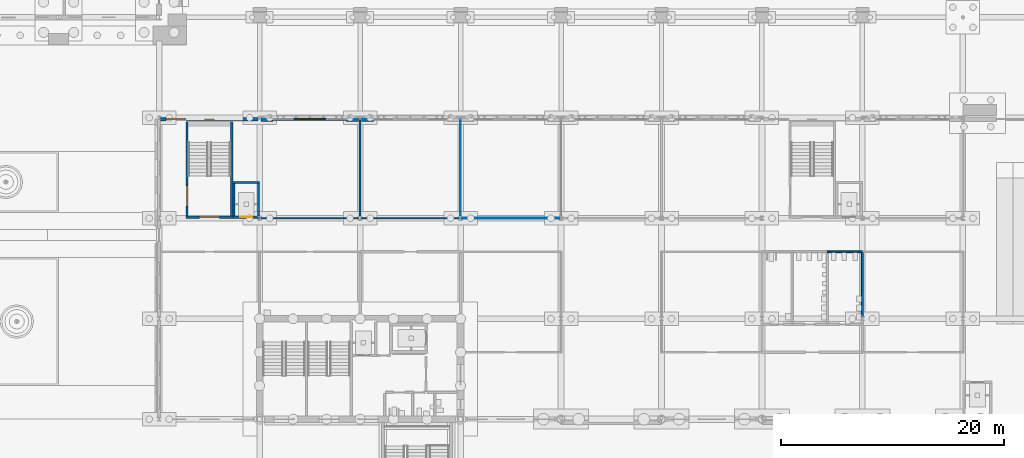
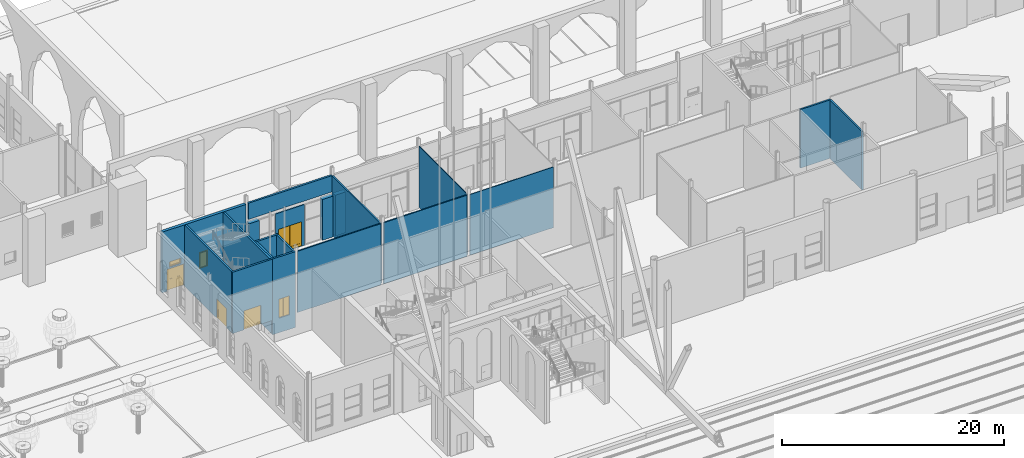
# One storey, part 111 of 250: 20 walls, 5 doors, 2 windows, 7 openings.
"""IFC4 building model written with IfcOpenShell, lengths in metres."""

from ifc_helpers import new_model, si_unit, direction, frame, frame_2d, origin, place, context, subcontext, project, spatial, polyline, rectangle, outline, extrude, material, layer, layer_set, type_object, element, fill, save


model = new_model("IFC4")

# Units and contexts
model_context = context("Model", 3, precision=1e-05, world=origin(), true_north=direction((0.0, 1.0)))
body_context = subcontext(model_context, "Body", "Model", "MODEL_VIEW")
ifc_project = project(units=[si_unit("LENGTHUNIT", "METRE"), si_unit("AREAUNIT", "SQUARE_METRE"), si_unit("VOLUMEUNIT", "CUBIC_METRE"), si_unit("PLANEANGLEUNIT", "RADIAN"), si_unit("MASSUNIT", "GRAM", prefix="KILO")], contexts=[model_context])

# Site, building, storey
site_placement = place(None, origin())
site = spatial("IfcSite", under=ifc_project, at=site_placement, CompositionType="ELEMENT")
building_placement = place(site_placement, origin())
building = spatial("IfcBuilding", under=site, at=building_placement, Name="Baradari Gate Terminus", CompositionType="ELEMENT")
storey_placement = place(building_placement, origin())
storey = spatial("IfcBuildingStorey", under=building, at=storey_placement, Name="L00", CompositionType="ELEMENT", Elevation=0.0)

# Walls
ifc_material_1 = material(Name="Sandstone masonry", Category="masonry")
ifc_layer_1 = layer(ifc_material_1, 0.199951171875)
ifc_layer_set_1 = layer_set([ifc_layer_1], Name="Sandstone masonry")
wall_type_1 = type_object("IfcWallType", Name="Arcade infill wall WA-1 200", PredefinedType="SOLIDWALL", material=ifc_layer_set_1)
wall_1_placement = place(storey_placement, frame((72.128173828125, 107.87841796875, 4.89990234375), z_axis=(0.0, 0.0, 1.0), x_axis=(1.0, 0.0, 0.0)))
element("IfcWall", 1, at=wall_1_placement, inside=storey, type_object=wall_type_1, Name="Arcade tympanum wall bay 8 L00", PredefinedType="SOLIDWALL", context=body_context, shape_type="SweptSolid", body=[
    extrude(rectangle(XDim=8.74365234375, YDim=0.199951171875, at=frame_2d((4.371826171875, 0.0))), origin(), (0.0, 0.0, 1.0), 1.792236328125),
])
ifc_material_2 = material(Name="Gypsum board")
ifc_layer_2 = layer(ifc_material_2, 0.125)
ifc_layer_set_2 = layer_set([ifc_layer_2], Name="Gypsum board")
wall_type_2 = type_object("IfcWallType", Name="Corridor partition PT-5 125 EI 30", PredefinedType="PARTITIONING", material=ifc_layer_set_2)
for number, where, z_axis, x_axis, name in (
    (2, (72.15380859375, 99.0, 0.0), (0.0, 0.0, 1.0), (1.0, 0.0, 0.0), "PT-5 partition Corridor (Service Corridor West) / Shop 01"),
    (3, (81.15380859375, 99.0, 0.0), (0.0, 0.0, 1.0), (1.0, 0.0, 0.0), "PT-5 partition Corridor (Service Corridor West) / Shop 02"),
):
    element("IfcWall", number, at=place(storey_placement, frame(where, z_axis=z_axis, x_axis=x_axis)), inside=storey, type_object=wall_type_2, Name=name, PredefinedType="PARTITIONING", context=body_context, shape_type="SweptSolid", body=[
        extrude(rectangle(XDim=8.6923828125, YDim=0.125, at=frame_2d((4.34619140625, 0.0))), origin(), (0.0, 0.0, 1.0), 6.757080078125),
    ])

# Wall, opening, door
ifc_material_3 = material(Name="Laminated glass in aluminium frame", Category="aluminium")
ifc_layer_3 = layer(ifc_material_3, 0.14990234375)
ifc_layer_set_3 = layer_set([ifc_layer_3], Name="Laminated glass in aluminium frame")
wall_type_3 = type_object("IfcWallType", Name="Glazed entrance screen WG-1 150", PredefinedType="ELEMENTEDWALL", material=ifc_layer_set_3)
wall_2_placement = place(storey_placement, frame((75.0, 107.87841796875, 0.0), z_axis=(0.0, 0.0, 1.0), x_axis=(1.0, 0.0, 0.0)))
wall_2 = element("IfcWall", 4, at=wall_2_placement, inside=storey, type_object=wall_type_3, Name="Glazed entrance screen HN bay 8 L00", PredefinedType="ELEMENTEDWALL", context=body_context, shape_type="SweptSolid", body=[
    extrude(rectangle(XDim=3.0, YDim=0.14990234375, at=frame_2d((1.5, 0.0))), origin(), (0.0, 0.0, 1.0), 4.5),
])
opening_1_placement = place(wall_2_placement, frame((0.300048828125, 0.0, 0.0)))
opening_1 = element("IfcOpeningElement", 5, at=opening_1_placement, cuts=wall_2, Name="Opening D00-014", PredefinedType="OPENING", context=body_context, shape_type="SweptSolid", body=[
    extrude(rectangle(XDim=2.39990234375, YDim=2.699951171875, at=frame_2d((1.199951171875, 1.35009765625))), frame((0.0, 0.0849609375, 0.0), z_axis=(0.0, -1.0, 0.0), x_axis=(1.0, 0.0, 0.0)), (0.0, 0.0, 1.0), 0.169921875),
])
ifc_material_4 = material(Name="Aluminium 6063-T6", Category="aluminium")
door_type_1 = type_object("IfcDoorType", Name="Shop entrance door pair, glazed DT-2 2400x2700", OperationType="DOUBLE_DOOR_DOUBLE_SWING", PredefinedType="DOOR", material=ifc_material_4)
door_1_placement = place(opening_1_placement, origin())
door_1 = element("IfcDoor", 6, at=door_1_placement, inside=storey, type_object=door_type_1, Name="Entrance door Shop 01", OperationType="DOUBLE_DOOR_SINGLE_SWING", OverallHeight=2.7, OverallWidth=2.4, PredefinedType="DOOR", context=body_context, shape_type="SweptSolid", body=[
    extrude(outline(polyline([(0.0, 0.0), (0.070068359375, 0.0), (0.070068359375, 2.6298828125), (2.329833984375, 2.6298828125), (2.329833984375, 0.0), (2.39990234375, 0.0), (2.39990234375, 2.699951171875), (0.0, 2.699951171875), (0.0, 0.0)])), frame((0.0, 0.02490234375, 0.0), z_axis=(0.0, -1.0, 0.0), x_axis=(1.0, 0.0, 0.0)), (0.0, 0.0, 1.0), 0.050048828125),
    extrude(outline(polyline([(0.073974609375, 0.010009765625), (1.19677734375, 0.010009765625), (1.19677734375, 2.6259765625), (0.073974609375, 2.6259765625), (0.073974609375, 0.010009765625)]), holes=[polyline([(0.1640625, 0.31005859375), (1.10693359375, 0.31005859375), (1.10693359375, 2.535888671875), (0.1640625, 2.535888671875), (0.1640625, 0.31005859375)])]), frame((0.0, 0.017333984375, 0.0), z_axis=(0.0, -1.0, 0.0), x_axis=(1.0, 0.0, 0.0)), (0.0, 0.0, 1.0), 0.034912109375),
    extrude(rectangle(XDim=0.94287109375, YDim=2.225830078125, at=frame_2d((0.635498046875, 1.4228515625))), frame((0.0, 0.005859375, 0.0), z_axis=(0.0, -1.0, 0.0), x_axis=(1.0, 0.0, 0.0)), (0.0, 0.0, 1.0), 0.011962890625),
    extrude(outline(polyline([(1.203125, 0.010009765625), (2.325927734375, 0.010009765625), (2.325927734375, 2.6259765625), (1.203125, 2.6259765625), (1.203125, 0.010009765625)]), holes=[polyline([(1.29296875, 0.31005859375), (2.23583984375, 0.31005859375), (2.23583984375, 2.535888671875), (1.29296875, 2.535888671875), (1.29296875, 0.31005859375)])]), frame((0.0, 0.017333984375, 0.0), z_axis=(0.0, -1.0, 0.0), x_axis=(1.0, 0.0, 0.0)), (0.0, 0.0, 1.0), 0.034912109375),
    extrude(rectangle(XDim=0.94287109375, YDim=2.225830078125, at=frame_2d((1.764404296875, 1.4228515625))), frame((0.0, 0.005859375, 0.0), z_axis=(0.0, -1.0, 0.0), x_axis=(1.0, 0.0, 0.0)), (0.0, 0.0, 1.0), 0.011962890625),
])
fill(opening_1, door_1)

# Walls
ifc_material_5 = material(Name="Aluminium framed glazed partition", Category="aluminium")
ifc_layer_4 = layer(ifc_material_5, 0.074951171875)
ifc_layer_set_4 = layer_set([ifc_layer_4], Name="Aluminium framed glazed partition")
wall_type_4 = type_object("IfcWallType", Name="Kiosk partition PT-9 75 EI 60", PredefinedType="PARTITIONING", material=ifc_layer_set_4)
wall_3_placement = place(storey_placement, frame((90.15380859375, 99.0, 0.0), z_axis=(0.0, 0.0, 1.0), x_axis=(1.0, 0.0, 0.0)))
element("IfcWall", 7, at=wall_3_placement, inside=storey, type_object=wall_type_4, Name="PT-9 partition Corridor (Service Corridor West) / Newsstand", PredefinedType="PARTITIONING", context=body_context, shape_type="SweptSolid", body=[
    extrude(rectangle(XDim=8.6923828125, YDim=0.074951171875, at=frame_2d((4.34619140625, 0.0))), origin(), (0.0, 0.0, 1.0), 6.69189453125),
])
wall_4_placement = place(storey_placement, frame((90.0, 107.869873046875, 0.0), z_axis=(0.0, 0.0, 1.0), x_axis=(0.0, -1.0, 0.0)))
element("IfcWall", 8, at=wall_4_placement, inside=storey, type_object=wall_type_4, Name="PT-9 partition Shop 02 / Newsstand", PredefinedType="PARTITIONING", context=body_context, shape_type="SweptSolid", body=[
    extrude(rectangle(XDim=8.712646484375, YDim=0.074951171875, at=frame_2d((4.3564453125, 0.0))), origin(), (0.0, 0.0, 1.0), 6.69189453125),
])
ifc_material_6 = material(Name="Laterite masonry", Category="masonry")
ifc_layer_5 = layer(ifc_material_6, 0.449951171875)
ifc_layer_set_5 = layer_set([ifc_layer_5], Name="Laterite masonry")
wall_type_5 = type_object("IfcWallType", Name="Laterite masonry pier WC-1 450", PredefinedType="SOLIDWALL", material=ifc_layer_set_5)
for number, where, z_axis, x_axis, name in (
    (9, (72.128173828125, 107.87841796875, 0.0), (0.0, 0.0, 1.0), (1.0, 0.0, 0.0), "Stone-clad pier HN bay 8 L00"),
    (10, (79.800048828125, 107.87841796875, 0.0), (0.0, 0.0, 1.0), (1.0, 0.0, 0.0), "Stone-clad pier HN bay 8 L00"),
    (11, (81.128173828125, 107.87841796875, 0.0), (0.0, 0.0, 1.0), (1.0, 0.0, 0.0), "Stone-clad pier HN bay 9 L00"),
):
    element("IfcWall", number, at=place(storey_placement, frame(where, z_axis=z_axis, x_axis=x_axis)), inside=storey, type_object=wall_type_5, Name=name, PredefinedType="SOLIDWALL", context=body_context, shape_type="SweptSolid", body=[
        extrude(rectangle(XDim=1.07177734375, YDim=0.449951171875, at=frame_2d((0.535888671875, 0.0))), origin(), (0.0, 0.0, 1.0), 4.5),
    ])

# Wall, opening, door
ifc_material_7 = material(Name="Blockwork wall, fire rated", Category="masonry")
ifc_layer_6 = layer(ifc_material_7, 0.199951171875)
ifc_layer_set_6 = layer_set([ifc_layer_6], Name="Blockwork wall, fire rated")
wall_type_6 = type_object("IfcWallType", Name="Lift shaft wall SH-1 200 EI 120", PredefinedType="SOLIDWALL", material=ifc_layer_set_6)
wall_5_placement = place(storey_placement, frame((69.60205078125, 99.10009765625, -1.60009765625), z_axis=(0.0, 0.0, 1.0), x_axis=(1.0, 0.0, 0.0)))
wall_5 = element("IfcWall", 12, at=wall_5_placement, inside=storey, type_object=wall_type_6, Name="Lift shaft wall LH1 L00 S", PredefinedType="SOLIDWALL", context=body_context, shape_type="SweptSolid", body=[
    extrude(rectangle(XDim=2.39794921875, YDim=0.199951171875, at=frame_2d((1.198974609375, 0.0))), origin(), (0.0, 0.0, 1.0), 8.357177734375),
])
opening_2_placement = place(wall_5_placement, frame((0.64794921875, 0.0, 1.60009765625)))
opening_2 = element("IfcOpeningElement", 13, at=opening_2_placement, cuts=wall_5, Name="Opening D00-072", PredefinedType="OPENING", context=body_context, shape_type="SweptSolid", body=[
    extrude(rectangle(XDim=1.10009765625, YDim=2.10009765625, at=frame_2d((0.550048828125, 1.050048828125))), frame((0.0, 0.10986328125, 0.0), z_axis=(0.0, -1.0, 0.0), x_axis=(1.0, 0.0, 0.0)), (0.0, 0.0, 1.0), 0.219970703125),
])
ifc_material_8 = material(Name="Stainless steel 1.4301", Category="steel")
door_type_2 = type_object("IfcDoorType", Name="Lift landing door LD 1100x2100 E 120", OperationType="SLIDING_TO_LEFT", PredefinedType="DOOR", material=ifc_material_8)
door_2_placement = place(opening_2_placement, origin())
door_2 = element("IfcDoor", 14, at=door_2_placement, inside=storey, type_object=door_type_2, Name="Lift landing door LH1 L00", OperationType="SLIDING_TO_LEFT", OverallHeight=2.1, OverallWidth=1.1, PredefinedType="DOOR", context=body_context, shape_type="SweptSolid", body=[
    extrude(outline(polyline([(0.0, 0.0), (0.070068359375, 0.0), (0.070068359375, 2.030029296875), (1.030029296875, 2.030029296875), (1.030029296875, 0.0), (1.10009765625, 0.0), (1.10009765625, 2.10009765625), (0.0, 2.10009765625), (0.0, 0.0)])), frame((0.0, 0.02490234375, 0.0), z_axis=(0.0, -1.0, 0.0), x_axis=(1.0, 0.0, 0.0)), (0.0, 0.0, 1.0), 0.050048828125),
    extrude(rectangle(XDim=0.523681640625, YDim=2.01611328125, at=frame_2d((0.3359375, 1.01806640625))), frame((0.0, 0.017822265625, 0.0), z_axis=(0.0, -1.0, 0.0), x_axis=(1.0, 0.0, 0.0)), (0.0, 0.0, 1.0), 0.015869140625),
    extrude(rectangle(XDim=0.519775390625, YDim=2.01611328125, at=frame_2d((0.76611328125, 1.01806640625))), frame((0.0, -0.002197265625, 0.0), z_axis=(0.0, -1.0, 0.0), x_axis=(1.0, 0.0, 0.0)), (0.0, 0.0, 1.0), 0.015869140625),
])
fill(opening_2, door_2)

# Walls
wall_6_placement = place(storey_placement, frame((69.60205078125, 102.199951171875, -1.60009765625), z_axis=(0.0, 0.0, 1.0), x_axis=(1.0, 0.0, 0.0)))
element("IfcWall", 15, at=wall_6_placement, inside=storey, type_object=wall_type_6, Name="Lift shaft wall LH1 L00 N", PredefinedType="SOLIDWALL", context=body_context, shape_type="SweptSolid", body=[
    extrude(rectangle(XDim=2.39794921875, YDim=0.199951171875, at=frame_2d((1.198974609375, 0.0))), origin(), (0.0, 0.0, 1.0), 8.357177734375),
])
for number, where, z_axis, x_axis, name in (
    (16, (69.699951171875, 99.199951171875, -1.60009765625), (0.0, 0.0, 1.0), (0.0, 1.0, 0.0), "Lift shaft wall LH1 L00 W"),
    (17, (71.89990234375, 99.199951171875, -1.60009765625), (0.0, 0.0, 1.0), (0.0, 1.0, 0.0), "Lift shaft wall LH1 L00 E"),
):
    element("IfcWall", number, at=place(storey_placement, frame(where, z_axis=z_axis, x_axis=x_axis)), inside=storey, type_object=wall_type_6, Name=name, PredefinedType="SOLIDWALL", context=body_context, shape_type="SweptSolid", body=[
        extrude(rectangle(XDim=2.900146484375, YDim=0.199951171875, at=frame_2d((1.4501953125, 0.0))), origin(), (0.0, 0.0, 1.0), 8.357177734375),
    ])
ifc_material_9 = material(Name="Blockwork wall, plastered", Category="masonry")
ifc_layer_7 = layer(ifc_material_9, 0.14990234375)
ifc_layer_set_7 = layer_set([ifc_layer_7], Name="Blockwork wall, plastered")
wall_type_7 = type_object("IfcWallType", Name="Partition PT-2 150 EI 60", PredefinedType="PARTITIONING", material=ifc_layer_set_7)
wall_7_placement = place(storey_placement, frame((81.0, 107.869873046875, 0.0), z_axis=(0.0, 0.0, 1.0), x_axis=(0.0, -1.0, 0.0)))
element("IfcWall", 18, at=wall_7_placement, inside=storey, type_object=wall_type_7, Name="PT-2 partition Shop 01 / Shop 02", PredefinedType="PARTITIONING", context=body_context, shape_type="SweptSolid", body=[
    extrude(rectangle(XDim=8.712646484375, YDim=0.14990234375, at=frame_2d((4.3564453125, 0.0))), origin(), (0.0, 0.0, 1.0), 6.60009765625),
])

# Wall, openings, windows, door
ifc_material_10 = material(Name="Concrete C32/40", Category="concrete")
ifc_layer_8 = layer(ifc_material_10, 0.2)
ifc_material_11 = material(Name="Sandstone cladding", Category="masonry")
ifc_layer_9 = layer(ifc_material_11, 0.1)
ifc_layer_set_8 = layer_set([ifc_layer_8, ifc_layer_9], Name="Concrete C32/40")
wall_type_8 = type_object("IfcWallType", Name="Stair enclosure cladding wall WS-2 300", PredefinedType="SOLIDWALL", material=ifc_layer_set_8)
wall_8_placement = place(storey_placement, frame((63.128173828125, 107.87841796875, 0.0), z_axis=(0.0, 0.0, 1.0), x_axis=(1.0, 0.0, 0.0)))
wall_8 = element("IfcWall", 19, at=wall_8_placement, inside=storey, type_object=wall_type_8, Name="arcade HN bay 8 L00", PredefinedType="SOLIDWALL", context=body_context, shape_type="SweptSolid", body=[
    extrude(rectangle(XDim=8.74365234375, YDim=0.300048828125, at=frame_2d((4.371826171875, 0.0))), origin(), (0.0, 0.0, 1.0), 6.692138671875),
])
opening_3_placement = place(wall_8_placement, frame((0.471923828125, 0.0, 0.0)))
opening_3 = element("IfcOpeningElement", 20, at=opening_3_placement, cuts=wall_8, Name="Opening D00-013", PredefinedType="OPENING", context=body_context, shape_type="SweptSolid", body=[
    extrude(rectangle(XDim=1.800048828125, YDim=2.39990234375, at=frame_2d((0.89990234375, 1.199951171875))), frame((0.0, 0.159912109375, 0.0), z_axis=(0.0, -1.0, 0.0), x_axis=(1.0, 0.0, 0.0)), (0.0, 0.0, 1.0), 0.320068359375),
])
opening_4_placement = place(wall_8_placement, frame((0.771728515625, 0.0, 2.550048828125)))
opening_4 = element("IfcOpeningElement", 21, at=opening_4_placement, cuts=wall_8, Name="Opening W10", PredefinedType="OPENING", context=body_context, shape_type="SweptSolid", body=[
    extrude(rectangle(XDim=1.199951171875, YDim=0.60009765625, at=frame_2d((0.60009765625, 0.300048828125))), frame((0.0, 0.159912109375, 0.0), z_axis=(0.0, -1.0, 0.0), x_axis=(1.0, 0.0, 0.0)), (0.0, 0.0, 1.0), 0.320068359375),
])
opening_5_placement = place(wall_8_placement, frame((3.921875, 0.0, 1.199951171875)))
opening_5 = element("IfcOpeningElement", 22, at=opening_5_placement, cuts=wall_8, Name="Opening W6", PredefinedType="OPENING", context=body_context, shape_type="SweptSolid", body=[
    extrude(rectangle(XDim=0.89990234375, YDim=1.800048828125, at=frame_2d((0.449951171875, 0.89990234375))), frame((0.0, 0.159912109375, 0.0), z_axis=(0.0, -1.0, 0.0), x_axis=(1.0, 0.0, 0.0)), (0.0, 0.0, 1.0), 0.320068359375),
])
ifc_material_12 = material(Name="Aluminium 6063-T6", Category="aluminium")
window_type_1 = type_object("IfcWindowType", Name="Door fanlight W10 1200x600", PartitioningType="SINGLE_PANEL", PredefinedType="WINDOW", material=ifc_material_12)
window_1_placement = place(opening_4_placement, origin())
window_1 = element("IfcWindow", 23, at=window_1_placement, inside=storey, type_object=window_type_1, Name="Fanlight over Corridor (Stair Passage)", OverallHeight=0.6, OverallWidth=1.2, PartitioningType="SINGLE_PANEL", PredefinedType="WINDOW", context=body_context, shape_type="SweptSolid", body=[
    extrude(outline(polyline([(0.0, 0.0), (1.199951171875, 0.0), (1.199951171875, 0.60009765625), (0.0, 0.60009765625), (0.0, 0.0)]), holes=[polyline([(0.070068359375, 0.070068359375), (1.1298828125, 0.070068359375), (1.1298828125, 0.530029296875), (0.070068359375, 0.530029296875), (0.070068359375, 0.070068359375)])]), frame((0.0, 0.030029296875, 0.0), z_axis=(0.0, -1.0, 0.0), x_axis=(1.0, 0.0, 0.0)), (0.0, 0.0, 1.0), 0.06005859375),
    extrude(outline(polyline([(0.070068359375, 0.070068359375), (1.1298828125, 0.070068359375), (1.1298828125, 0.530029296875), (0.070068359375, 0.530029296875), (0.070068359375, 0.070068359375)]), holes=[polyline([(0.10009765625, 0.10009765625), (1.099853515625, 0.10009765625), (1.099853515625, 0.5), (0.10009765625, 0.5), (0.10009765625, 0.10009765625)])]), frame((0.0, 0.0224609375, 0.0), z_axis=(0.0, -1.0, 0.0), x_axis=(1.0, 0.0, 0.0)), (0.0, 0.0, 1.0), 0.044921875),
    extrude(rectangle(XDim=0.999755859375, YDim=0.39990234375, at=frame_2d((0.60009765625, 0.300048828125))), frame((0.0, 0.006103515625, 0.0), z_axis=(0.0, -1.0, 0.0), x_axis=(1.0, 0.0, 0.0)), (0.0, 0.0, 1.0), 0.01220703125),
])
fill(opening_4, window_1)
ifc_material_13 = material(Name="Steel S235", Category="steel")
door_type_3 = type_object("IfcDoorType", Name="Stair exit door pair, steel DT-4 1800x2400", OperationType="DOUBLE_DOOR_SINGLE_SWING", PredefinedType="DOOR", material=ifc_material_13)
door_3_placement = place(opening_3_placement, origin())
door_3 = element("IfcDoor", 24, at=door_3_placement, inside=storey, type_object=door_type_3, Name="Exit door Corridor (Stair Passage)", OperationType="DOUBLE_DOOR_SINGLE_SWING", OverallHeight=2.4, OverallWidth=1.8, PredefinedType="DOOR", context=body_context, shape_type="SweptSolid", body=[
    extrude(outline(polyline([(0.0, 0.0), (0.070068359375, 0.0), (0.070068359375, 2.329833984375), (1.72998046875, 2.329833984375), (1.72998046875, 0.0), (1.800048828125, 0.0), (1.800048828125, 2.39990234375), (0.0, 2.39990234375), (0.0, 0.0)])), frame((0.0, 0.02490234375, 0.0), z_axis=(0.0, -1.0, 0.0), x_axis=(1.0, 0.0, 0.0)), (0.0, 0.0, 1.0), 0.050048828125),
    extrude(outline(polyline([(0.073974609375, 0.010009765625), (0.89697265625, 0.010009765625), (0.89697265625, 2.325927734375), (0.073974609375, 2.325927734375), (0.073974609375, 0.010009765625)]), holes=[polyline([(0.194091796875, 0.159912109375), (0.77685546875, 0.159912109375), (0.77685546875, 1.010009765625), (0.194091796875, 1.010009765625), (0.194091796875, 0.159912109375)]), polyline([(0.33544921875, 1.159912109375), (0.635498046875, 1.159912109375), (0.635498046875, 1.760009765625), (0.33544921875, 1.760009765625), (0.33544921875, 1.159912109375)])]), frame((0.0, 0.017333984375, 0.0), z_axis=(0.0, -1.0, 0.0), x_axis=(1.0, 0.0, 0.0)), (0.0, 0.0, 1.0), 0.034912109375),
    extrude(rectangle(XDim=0.582763671875, YDim=0.85009765625, at=frame_2d((0.4853515625, 0.5849609375))), frame((0.0, 0.008544921875, 0.0), z_axis=(0.0, -1.0, 0.0), x_axis=(1.0, 0.0, 0.0)), (0.0, 0.0, 1.0), 0.017333984375),
    extrude(rectangle(XDim=0.300048828125, YDim=0.60009765625, at=frame_2d((0.4853515625, 1.4599609375))), frame((0.0, 0.005859375, 0.0), z_axis=(0.0, -1.0, 0.0), x_axis=(1.0, 0.0, 0.0)), (0.0, 0.0, 1.0), 0.011962890625),
    extrude(outline(polyline([(0.903076171875, 0.010009765625), (1.72607421875, 0.010009765625), (1.72607421875, 2.325927734375), (0.903076171875, 2.325927734375), (0.903076171875, 0.010009765625)]), holes=[polyline([(1.023193359375, 0.159912109375), (1.60595703125, 0.159912109375), (1.60595703125, 1.010009765625), (1.023193359375, 1.010009765625), (1.023193359375, 0.159912109375)]), polyline([(1.16455078125, 1.159912109375), (1.464599609375, 1.159912109375), (1.464599609375, 1.760009765625), (1.16455078125, 1.760009765625), (1.16455078125, 1.159912109375)])]), frame((0.0, 0.017333984375, 0.0), z_axis=(0.0, -1.0, 0.0), x_axis=(1.0, 0.0, 0.0)), (0.0, 0.0, 1.0), 0.034912109375),
    extrude(rectangle(XDim=0.582763671875, YDim=0.85009765625, at=frame_2d((1.314453125, 0.5849609375))), frame((0.0, 0.008544921875, 0.0), z_axis=(0.0, -1.0, 0.0), x_axis=(1.0, 0.0, 0.0)), (0.0, 0.0, 1.0), 0.017333984375),
    extrude(rectangle(XDim=0.300048828125, YDim=0.60009765625, at=frame_2d((1.314453125, 1.4599609375))), frame((0.0, 0.005859375, 0.0), z_axis=(0.0, -1.0, 0.0), x_axis=(1.0, 0.0, 0.0)), (0.0, 0.0, 1.0), 0.011962890625),
])
fill(opening_3, door_3)
ifc_material_14 = material(Name="Aluminium 6063-T6", Category="aluminium")
window_type_2 = type_object("IfcWindowType", Name="Stair light W6 900x1800", PartitioningType="SINGLE_PANEL", PredefinedType="WINDOW", material=ifc_material_14)
window_2_placement = place(opening_5_placement, origin())
window_2 = element("IfcWindow", 25, at=window_2_placement, inside=storey, type_object=window_type_2, Name="Window W6 HN/07", OverallHeight=1.8, OverallWidth=0.9, PartitioningType="SINGLE_PANEL", PredefinedType="WINDOW", context=body_context, shape_type="SweptSolid", body=[
    extrude(outline(polyline([(0.0, 0.0), (0.89990234375, 0.0), (0.89990234375, 1.800048828125), (0.0, 1.800048828125), (0.0, 0.0)]), holes=[polyline([(0.070068359375, 0.070068359375), (0.829833984375, 0.070068359375), (0.829833984375, 1.72998046875), (0.070068359375, 1.72998046875), (0.070068359375, 0.070068359375)])]), frame((0.0, 0.030029296875, 0.0), z_axis=(0.0, -1.0, 0.0), x_axis=(1.0, 0.0, 0.0)), (0.0, 0.0, 1.0), 0.06005859375),
    extrude(outline(polyline([(0.070068359375, 0.070068359375), (0.829833984375, 0.070068359375), (0.829833984375, 1.72998046875), (0.070068359375, 1.72998046875), (0.070068359375, 0.070068359375)]), holes=[polyline([(0.10009765625, 0.10009765625), (0.7998046875, 0.10009765625), (0.7998046875, 1.699951171875), (0.10009765625, 1.699951171875), (0.10009765625, 0.10009765625)])]), frame((0.0, 0.0224609375, 0.0), z_axis=(0.0, -1.0, 0.0), x_axis=(1.0, 0.0, 0.0)), (0.0, 0.0, 1.0), 0.044921875),
    extrude(rectangle(XDim=0.69970703125, YDim=1.599853515625, at=frame_2d((0.449951171875, 0.89990234375))), frame((0.0, 0.006103515625, 0.0), z_axis=(0.0, -1.0, 0.0), x_axis=(1.0, 0.0, 0.0)), (0.0, 0.0, 1.0), 0.01220703125),
])
fill(opening_5, window_2)

# Wall, opening, door
ifc_material_15 = material(Name="Concrete C40/50", Category="concrete")
ifc_layer_10 = layer(ifc_material_15, 0.199951171875)
ifc_layer_set_9 = layer_set([ifc_layer_10], Name="Concrete C40/50")
wall_type_9 = type_object("IfcWallType", Name="Stair enclosure wall SE-5 200 EI 120", PredefinedType="SOLIDWALL", material=ifc_layer_set_9)
wall_9_placement = place(storey_placement, frame((65.39990234375, 99.10009765625, 0.0), z_axis=(0.0, 0.0, 1.0), x_axis=(1.0, 0.0, 0.0)))
wall_9 = element("IfcWall", 26, at=wall_9_placement, inside=storey, type_object=wall_type_9, Name="Stair enclosure wall SE-5 ST-H1 L00 S", PredefinedType="SOLIDWALL", context=body_context, shape_type="SweptSolid", body=[
    extrude(rectangle(XDim=4.2001953125, YDim=0.199951171875, at=frame_2d((2.10009765625, 0.0))), origin(), (0.0, 0.0, 1.0), 6.757080078125),
])
opening_6_placement = place(wall_9_placement, frame((1.199951171875, 0.0, 0.0)))
opening_6 = element("IfcOpeningElement", 27, at=opening_6_placement, cuts=wall_9, Name="Opening D00-122", PredefinedType="OPENING", context=body_context, shape_type="SweptSolid", body=[
    extrude(rectangle(XDim=1.800048828125, YDim=2.10009765625, at=frame_2d((0.89990234375, 1.050048828125))), frame((0.0, 0.10986328125, 0.0), z_axis=(0.0, -1.0, 0.0), x_axis=(1.0, 0.0, 0.0)), (0.0, 0.0, 1.0), 0.219970703125),
])
ifc_material_16 = material(Name="Steel S275", Category="steel")
door_type_4 = type_object("IfcDoorType", Name="Fire door FI-1800-FD90S 1800x2100 FD90S", OperationType="DOUBLE_DOOR_SINGLE_SWING", PredefinedType="DOOR", material=ifc_material_16)
door_4_placement = place(opening_6_placement, origin())
door_4 = element("IfcDoor", 28, at=door_4_placement, inside=storey, type_object=door_type_4, Name="Door Stair (Head-house) 1", OperationType="DOUBLE_DOOR_SINGLE_SWING", OverallHeight=2.1, OverallWidth=1.8, PredefinedType="DOOR", context=body_context, shape_type="SweptSolid", body=[
    extrude(outline(polyline([(0.0, 0.0), (0.070068359375, 0.0), (0.070068359375, 2.030029296875), (1.72998046875, 2.030029296875), (1.72998046875, 0.0), (1.800048828125, 0.0), (1.800048828125, 2.10009765625), (0.0, 2.10009765625), (0.0, 0.0)])), frame((0.0, 0.02490234375, 0.0), z_axis=(0.0, -1.0, 0.0), x_axis=(1.0, 0.0, 0.0)), (0.0, 0.0, 1.0), 0.050048828125),
    extrude(outline(polyline([(0.073974609375, 0.010009765625), (0.89697265625, 0.010009765625), (0.89697265625, 2.026123046875), (0.073974609375, 2.026123046875), (0.073974609375, 0.010009765625)]), holes=[polyline([(0.194091796875, 0.159912109375), (0.77685546875, 0.159912109375), (0.77685546875, 1.010009765625), (0.194091796875, 1.010009765625), (0.194091796875, 0.159912109375)]), polyline([(0.33544921875, 1.159912109375), (0.635498046875, 1.159912109375), (0.635498046875, 1.760009765625), (0.33544921875, 1.760009765625), (0.33544921875, 1.159912109375)])]), frame((0.0, 0.017333984375, 0.0), z_axis=(0.0, -1.0, 0.0), x_axis=(1.0, 0.0, 0.0)), (0.0, 0.0, 1.0), 0.034912109375),
    extrude(rectangle(XDim=0.582763671875, YDim=0.85009765625, at=frame_2d((0.4853515625, 0.5849609375))), frame((0.0, 0.008544921875, 0.0), z_axis=(0.0, -1.0, 0.0), x_axis=(1.0, 0.0, 0.0)), (0.0, 0.0, 1.0), 0.017333984375),
    extrude(rectangle(XDim=0.300048828125, YDim=0.60009765625, at=frame_2d((0.4853515625, 1.4599609375))), frame((0.0, 0.005859375, 0.0), z_axis=(0.0, -1.0, 0.0), x_axis=(1.0, 0.0, 0.0)), (0.0, 0.0, 1.0), 0.011962890625),
    extrude(outline(polyline([(0.903076171875, 0.010009765625), (1.72607421875, 0.010009765625), (1.72607421875, 2.026123046875), (0.903076171875, 2.026123046875), (0.903076171875, 0.010009765625)]), holes=[polyline([(1.023193359375, 0.159912109375), (1.60595703125, 0.159912109375), (1.60595703125, 1.010009765625), (1.023193359375, 1.010009765625), (1.023193359375, 0.159912109375)]), polyline([(1.16455078125, 1.159912109375), (1.464599609375, 1.159912109375), (1.464599609375, 1.760009765625), (1.16455078125, 1.760009765625), (1.16455078125, 1.159912109375)])]), frame((0.0, 0.017333984375, 0.0), z_axis=(0.0, -1.0, 0.0), x_axis=(1.0, 0.0, 0.0)), (0.0, 0.0, 1.0), 0.034912109375),
    extrude(rectangle(XDim=0.582763671875, YDim=0.85009765625, at=frame_2d((1.314453125, 0.5849609375))), frame((0.0, 0.008544921875, 0.0), z_axis=(0.0, -1.0, 0.0), x_axis=(1.0, 0.0, 0.0)), (0.0, 0.0, 1.0), 0.017333984375),
    extrude(rectangle(XDim=0.300048828125, YDim=0.60009765625, at=frame_2d((1.314453125, 1.4599609375))), frame((0.0, 0.005859375, 0.0), z_axis=(0.0, -1.0, 0.0), x_axis=(1.0, 0.0, 0.0)), (0.0, 0.0, 1.0), 0.011962890625),
])
fill(opening_6, door_4)

wall_10_placement = place(storey_placement, frame((65.5, 99.199951171875, 0.0), z_axis=(0.0, 0.0, 1.0), x_axis=(0.0, 1.0, 0.0)))
wall_10 = element("IfcWall", 29, at=wall_10_placement, inside=storey, type_object=wall_type_9, Name="Stair enclosure wall SE-5 ST-H1 L00 W", PredefinedType="SOLIDWALL", context=body_context, shape_type="SweptSolid", body=[
    extrude(rectangle(XDim=8.400146484375, YDim=0.199951171875, at=frame_2d((4.2001953125, 0.0))), origin(), (0.0, 0.0, 1.0), 6.757080078125),
])
opening_7_placement = place(wall_10_placement, frame((0.89990234375, 0.0, 0.0)))
opening_7 = element("IfcOpeningElement", 30, at=opening_7_placement, cuts=wall_10, Name="Opening D00-121", PredefinedType="OPENING", context=body_context, shape_type="SweptSolid", body=[
    extrude(rectangle(XDim=1.800048828125, YDim=2.10009765625, at=frame_2d((0.89990234375, 1.050048828125))), frame((0.0, 0.10986328125, 0.0), z_axis=(0.0, -1.0, 0.0), x_axis=(1.0, 0.0, 0.0)), (0.0, 0.0, 1.0), 0.219970703125),
])
door_5_placement = place(opening_7_placement, frame((1.800048828125, 0.0, 0.0), z_axis=(0.0, 0.0, 1.0), x_axis=(-1.0, 0.0, 0.0)))
door_5 = element("IfcDoor", 31, at=door_5_placement, inside=storey, type_object=door_type_4, Name="Door Stair (Head-house) 1", OperationType="DOUBLE_DOOR_SINGLE_SWING", OverallHeight=2.1, OverallWidth=1.8, PredefinedType="DOOR", context=body_context, shape_type="SweptSolid", body=[
    extrude(outline(polyline([(0.0, 0.0), (0.070068359375, 0.0), (0.070068359375, 2.030029296875), (1.72998046875, 2.030029296875), (1.72998046875, 0.0), (1.800048828125, 0.0), (1.800048828125, 2.10009765625), (0.0, 2.10009765625), (0.0, 0.0)])), frame((0.0, 0.02490234375, 0.0), z_axis=(0.0, -1.0, 0.0), x_axis=(1.0, 0.0, 0.0)), (0.0, 0.0, 1.0), 0.050048828125),
    extrude(outline(polyline([(0.073974609375, 0.010009765625), (0.89697265625, 0.010009765625), (0.89697265625, 2.026123046875), (0.073974609375, 2.026123046875), (0.073974609375, 0.010009765625)]), holes=[polyline([(0.194091796875, 0.159912109375), (0.77685546875, 0.159912109375), (0.77685546875, 1.010009765625), (0.194091796875, 1.010009765625), (0.194091796875, 0.159912109375)]), polyline([(0.33544921875, 1.159912109375), (0.635498046875, 1.159912109375), (0.635498046875, 1.760009765625), (0.33544921875, 1.760009765625), (0.33544921875, 1.159912109375)])]), frame((0.0, 0.017333984375, 0.0), z_axis=(0.0, -1.0, 0.0), x_axis=(1.0, 0.0, 0.0)), (0.0, 0.0, 1.0), 0.034912109375),
    extrude(rectangle(XDim=0.582763671875, YDim=0.85009765625, at=frame_2d((0.4853515625, 0.5849609375))), frame((0.0, 0.008544921875, 0.0), z_axis=(0.0, -1.0, 0.0), x_axis=(1.0, 0.0, 0.0)), (0.0, 0.0, 1.0), 0.017333984375),
    extrude(rectangle(XDim=0.300048828125, YDim=0.60009765625, at=frame_2d((0.4853515625, 1.4599609375))), frame((0.0, 0.005859375, 0.0), z_axis=(0.0, -1.0, 0.0), x_axis=(1.0, 0.0, 0.0)), (0.0, 0.0, 1.0), 0.011962890625),
    extrude(outline(polyline([(0.903076171875, 0.010009765625), (1.72607421875, 0.010009765625), (1.72607421875, 2.026123046875), (0.903076171875, 2.026123046875), (0.903076171875, 0.010009765625)]), holes=[polyline([(1.023193359375, 0.159912109375), (1.60595703125, 0.159912109375), (1.60595703125, 1.010009765625), (1.023193359375, 1.010009765625), (1.023193359375, 0.159912109375)]), polyline([(1.16455078125, 1.159912109375), (1.464599609375, 1.159912109375), (1.464599609375, 1.760009765625), (1.16455078125, 1.760009765625), (1.16455078125, 1.159912109375)])]), frame((0.0, 0.017333984375, 0.0), z_axis=(0.0, -1.0, 0.0), x_axis=(1.0, 0.0, 0.0)), (0.0, 0.0, 1.0), 0.034912109375),
    extrude(rectangle(XDim=0.582763671875, YDim=0.85009765625, at=frame_2d((1.314453125, 0.5849609375))), frame((0.0, 0.008544921875, 0.0), z_axis=(0.0, -1.0, 0.0), x_axis=(1.0, 0.0, 0.0)), (0.0, 0.0, 1.0), 0.017333984375),
    extrude(rectangle(XDim=0.300048828125, YDim=0.60009765625, at=frame_2d((1.314453125, 1.4599609375))), frame((0.0, 0.005859375, 0.0), z_axis=(0.0, -1.0, 0.0), x_axis=(1.0, 0.0, 0.0)), (0.0, 0.0, 1.0), 0.011962890625),
])
fill(opening_7, door_5)

# Walls
wall_11_placement = place(storey_placement, frame((69.5, 99.199951171875, 0.0), z_axis=(0.0, 0.0, 1.0), x_axis=(0.0, 1.0, 0.0)))
element("IfcWall", 32, at=wall_11_placement, inside=storey, type_object=wall_type_9, Name="Stair enclosure wall SE-5 ST-H1 L00 E", PredefinedType="SOLIDWALL", context=body_context, shape_type="SweptSolid", body=[
    extrude(rectangle(XDim=8.400146484375, YDim=0.199951171875, at=frame_2d((4.2001953125, 0.0))), origin(), (0.0, 0.0, 1.0), 6.757080078125),
])
ifc_material_17 = material(Name="Blockwork wall, tiled both faces", Category="masonry")
ifc_layer_11 = layer(ifc_material_17, 0.175048828125)
ifc_layer_set_10 = layer_set([ifc_layer_11], Name="Blockwork wall, tiled both faces")
wall_type_10 = type_object("IfcWallType", Name="WC wet wall PT-6 175 EI 60", PredefinedType="PARTITIONING", material=ifc_layer_set_10)
wall_12_placement = place(storey_placement, frame((126.0, 96.0, 0.0), z_axis=(0.0, 0.0, 1.0), x_axis=(-1.0, 0.0, 0.0)))
element("IfcWall", 33, at=wall_12_placement, inside=storey, type_object=wall_type_10, Name="PT-6 partition Corridor (Service Corridor West) / Female WC", PredefinedType="PARTITIONING", context=body_context, shape_type="SweptSolid", body=[
    extrude(rectangle(XDim=3.14990234375, YDim=0.175048828125, at=frame_2d((1.574951171875, 0.0))), origin(), (0.0, 0.0, 1.0), 6.458984375),
])
wall_13_placement = place(storey_placement, frame((126.0, 95.91259765625, 0.0), z_axis=(0.0, 0.0, 1.0), x_axis=(0.0, -1.0, 0.0)))
element("IfcWall", 34, at=wall_13_placement, inside=storey, type_object=wall_type_10, Name="PT-6 partition Female WC / Booking Office", PredefinedType="PARTITIONING", context=body_context, shape_type="SweptSolid", body=[
    extrude(rectangle(XDim=5.75537109375, YDim=0.175048828125, at=frame_2d((2.877685546875, 0.0))), origin(), (0.0, 0.0, 1.0), 6.458984375),
])

save(model, "model.ifc")
